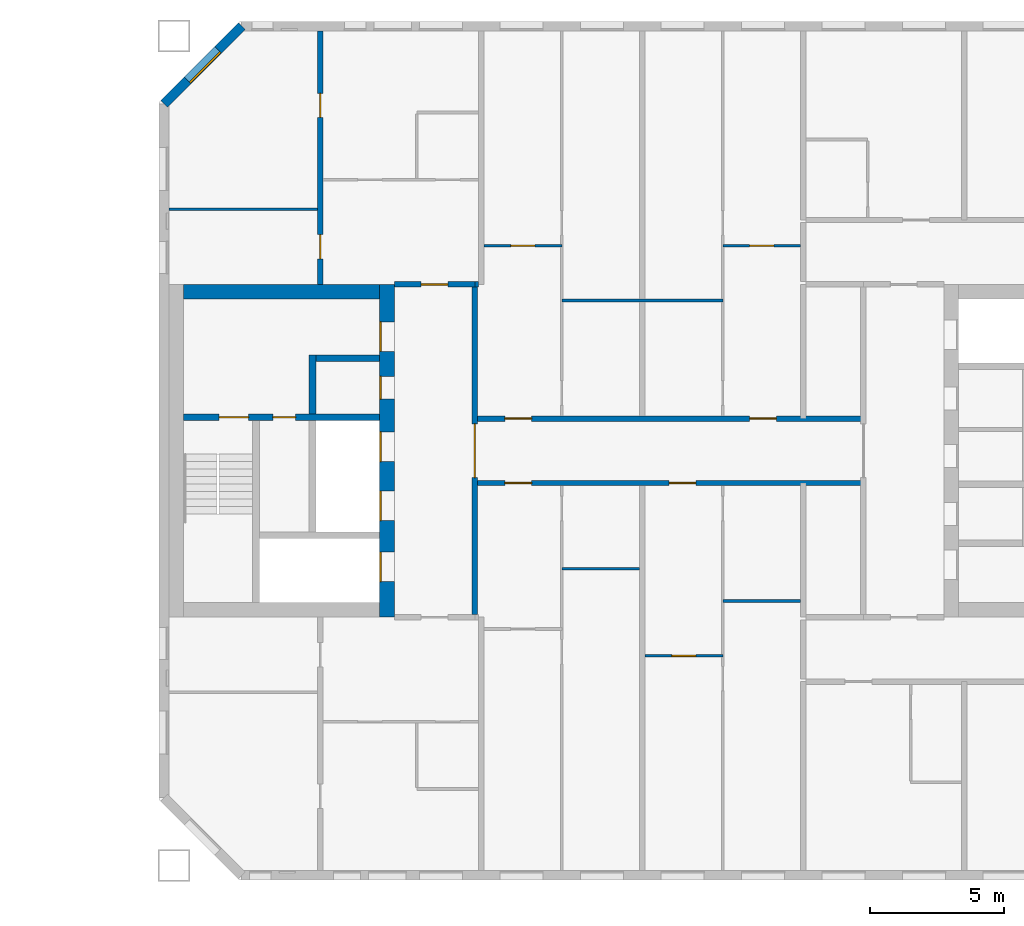
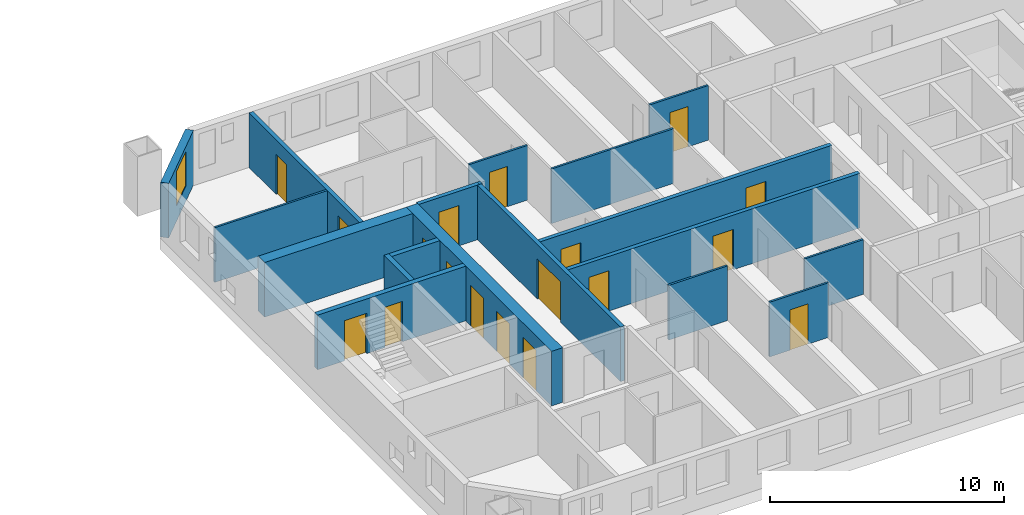
# One storey, part 11 of 17: 19 walls, 18 doors, 1 window, 19 openings.
"""IFC4 building model written with IfcOpenShell, lengths in metres."""

from ifc_helpers import new_model, si_unit, direction, frame, frame_2d, origin, place, context, subcontext, project, spatial, rectangle, extrude, material, layer, layer_set, type_object, element, fill, save


model = new_model("IFC4")

# Units and contexts
model_context = context("Model", 3, precision=1e-05, world=origin(), true_north=direction((0.0, 1.0)))
body_context = subcontext(model_context, "Body", "Model", "MODEL_VIEW")
ifc_project = project(units=[si_unit("LENGTHUNIT", "METRE"), si_unit("AREAUNIT", "SQUARE_METRE"), si_unit("VOLUMEUNIT", "CUBIC_METRE"), si_unit("PLANEANGLEUNIT", "RADIAN"), si_unit("MASSUNIT", "GRAM", prefix="KILO")], contexts=[model_context])

# Site, building, storey
site_placement = place(None, origin())
site = spatial("IfcSite", under=ifc_project, at=site_placement, CompositionType="ELEMENT")
building_placement = place(site_placement, origin())
building = spatial("IfcBuilding", under=site, at=building_placement, Name="Tuart Gate Housing", CompositionType="ELEMENT")
storey_placement = place(building_placement, frame((0.0, 0.0, 123.699951171875)))
storey = spatial("IfcBuildingStorey", under=building, at=storey_placement, Name="L34", CompositionType="ELEMENT", Elevation=123.699951171875)

# Wall, opening, window
ifc_material_1 = material(Name="Brick", Category="masonry")
ifc_layer_1 = layer(ifc_material_1, 0.360107421875)
ifc_layer_set_1 = layer_set([ifc_layer_1], Name="Brick pier and spandrel wall 360")
wall_type_1 = type_object("IfcWallType", Name="Brick pier and spandrel wall 360", PredefinedType="STANDARD", material=ifc_layer_set_1)
wall_1_placement = place(storey_placement, frame((134.07470703125, 85.820068359375, 0.0), z_axis=(0.0, 0.0, 1.0), x_axis=(-0.707106781187, -0.707106781187, 0.0)))
wall_1 = element("IfcWall", 1, at=wall_1_placement, inside=storey, type_object=wall_type_1, Name="External wall B-NW L34", PredefinedType="STANDARD", context=body_context, shape_type="SweptSolid", body=[
    extrude(rectangle(XDim=4.09375, YDim=0.360107421875, at=frame_2d((2.046875, 0.0))), origin(), (0.0, 0.0, 1.0), 2.85009765625),
])
opening_1_placement = place(wall_1_placement, frame((1.2470703125, 0.0, 0.800048828125)))
opening_1 = element("IfcOpeningElement", 2, at=opening_1_placement, cuts=wall_1, Name="Opening W1", PredefinedType="OPENING", context=body_context, shape_type="SweptSolid", body=[
    extrude(rectangle(XDim=1.60009765625, YDim=1.800048828125, at=frame_2d((0.800048828125, 0.89990234375))), frame((0.0, 0.18994140625, 0.0), z_axis=(0.0, -1.0, 0.0), x_axis=(1.0, 0.0, 0.0)), (0.0, 0.0, 1.0), 0.380126953125),
])
ifc_material_2 = material(Name="Aluminium frame with clear glass", Category="aluminium")
window_type = type_object("IfcWindowType", Name="Punched window 1600 x 1800", PartitioningType="SINGLE_PANEL", PredefinedType="WINDOW", material=ifc_material_2)
window_placement = place(opening_1_placement, origin())
window = element("IfcWindow", 3, at=window_placement, inside=storey, type_object=window_type, Name="Window W1", OverallHeight=1.800048828125, OverallWidth=1.60009765625, PartitioningType="SINGLE_PANEL", PredefinedType="WINDOW", context=body_context, shape_type="SweptSolid", body=[
    extrude(rectangle(XDim=1.60009765625, YDim=1.800048828125, at=frame_2d((0.800048828125, 0.89990234375))), frame((0.0, 0.150146484375, 0.0), z_axis=(0.0, -1.0, 0.0), x_axis=(1.0, 0.0, 0.0)), (0.0, 0.0, 1.0), 0.06005859375),
])
fill(opening_1, window)

# Wall, openings, doors
ifc_material_3 = material(Name="Concrete C50", Category="concrete")
ifc_layer_2 = layer(ifc_material_3, 0.25)
ifc_layer_set_2 = layer_set([ifc_layer_2], Name="Core wall 250 C50")
wall_type_2 = type_object("IfcWallType", Name="Core wall 250 C50", PredefinedType="SHEAR", material=ifc_layer_set_2)
wall_2_placement = place(storey_placement, frame((139.2099609375, 71.25, 0.0), z_axis=(0.0, 0.0, 1.0), x_axis=(-1.0, 0.0, 0.0)))
wall_2 = element("IfcWall", 4, at=wall_2_placement, inside=storey, type_object=wall_type_2, Name="Core wall BG.2", PredefinedType="SHEAR", context=body_context, shape_type="SweptSolid", body=[
    extrude(rectangle(XDim=7.300048828125, YDim=0.25, at=frame_2d((3.64990234375, 0.0))), origin(), (0.0, 0.0, 1.0), 2.85009765625),
])
opening_2_placement = place(wall_2_placement, frame((4.875, 0.0, 0.0)))
opening_2 = element("IfcOpeningElement", 5, at=opening_2_placement, cuts=wall_2, Name="Opening D1369", PredefinedType="OPENING", context=body_context, shape_type="SweptSolid", body=[
    extrude(rectangle(XDim=1.10009765625, YDim=2.10009765625, at=frame_2d((0.550048828125, 1.050048828125))), frame((0.0, 0.135009765625, 0.0), z_axis=(0.0, -1.0, 0.0), x_axis=(1.0, 0.0, 0.0)), (0.0, 0.0, 1.0), 0.27001953125),
])
opening_3_placement = place(wall_2_placement, frame((3.125, 0.0, 0.0)))
opening_3 = element("IfcOpeningElement", 6, at=opening_3_placement, cuts=wall_2, Name="Opening D1368", PredefinedType="OPENING", context=body_context, shape_type="SweptSolid", body=[
    extrude(rectangle(XDim=0.85009765625, YDim=2.10009765625, at=frame_2d((0.425048828125, 1.050048828125))), frame((0.0, 0.135009765625, 0.0), z_axis=(0.0, -1.0, 0.0), x_axis=(1.0, 0.0, 0.0)), (0.0, 0.0, 1.0), 0.27001953125),
])
ifc_material_4 = material(Name="Steel fire door", Category="steel")
door_type_1 = type_object("IfcDoorType", Name="Riser door 850 x 2100", OperationType="SINGLE_SWING_LEFT", PredefinedType="DOOR", material=ifc_material_4)
door_1_placement = place(opening_3_placement, origin())
door_1 = element("IfcDoor", 7, at=door_1_placement, inside=storey, type_object=door_type_1, Name="Service room door BG.W1", OperationType="SINGLE_SWING_LEFT", OverallHeight=2.10009765625, OverallWidth=0.85009765625, PredefinedType="DOOR", context=body_context, shape_type="SweptSolid", body=[
    extrude(rectangle(XDim=0.85009765625, YDim=2.10009765625, at=frame_2d((0.425048828125, 1.050048828125))), frame((0.0, 0.02490234375, 0.0), z_axis=(0.0, -1.0, 0.0), x_axis=(1.0, 0.0, 0.0)), (0.0, 0.0, 1.0), 0.050048828125),
])
fill(opening_3, door_1)
ifc_material_5 = material(Name="Steel fire door", Category="steel")
door_type_2 = type_object("IfcDoorType", Name="Stair door 1100 x 2100", OperationType="SINGLE_SWING_LEFT", PredefinedType="DOOR", material=ifc_material_5)
door_2_placement = place(opening_2_placement, origin())
door_2 = element("IfcDoor", 8, at=door_2_placement, inside=storey, type_object=door_type_2, Name="Stair door BG.SD", OperationType="SINGLE_SWING_LEFT", OverallHeight=2.10009765625, OverallWidth=1.10009765625, PredefinedType="DOOR", context=body_context, shape_type="SweptSolid", body=[
    extrude(rectangle(XDim=1.10009765625, YDim=2.10009765625, at=frame_2d((0.550048828125, 1.050048828125))), frame((0.0, 0.02490234375, 0.0), z_axis=(0.0, -1.0, 0.0), x_axis=(1.0, 0.0, 0.0)), (0.0, 0.0, 1.0), 0.050048828125),
])
fill(opening_2, door_2)

# Walls
wall_3_placement = place(storey_placement, frame((139.2099609375, 73.449951171875, 0.0), z_axis=(0.0, 0.0, 1.0), x_axis=(-1.0, 0.0, 0.0)))
element("IfcWall", 9, at=wall_3_placement, inside=storey, type_object=wall_type_2, Name="Core wall BG.3", PredefinedType="SHEAR", context=body_context, shape_type="SweptSolid", body=[
    extrude(rectangle(XDim=2.375, YDim=0.25, at=frame_2d((1.1875, 0.0))), origin(), (0.0, 0.0, 1.0), 2.85009765625),
])
wall_4_placement = place(storey_placement, frame((136.7099609375, 71.375, 0.0), z_axis=(0.0, 0.0, 1.0), x_axis=(0.0, 1.0, 0.0)))
element("IfcWall", 10, at=wall_4_placement, inside=storey, type_object=wall_type_2, Name="Core wall BG.5", PredefinedType="SHEAR", context=body_context, shape_type="SweptSolid", body=[
    extrude(rectangle(XDim=2.199951171875, YDim=0.25, at=frame_2d((1.10009765625, 0.0))), origin(), (0.0, 0.0, 1.0), 2.85009765625),
])

# Wall, openings, doors
ifc_material_6 = material(Name="Concrete C50", Category="concrete")
ifc_layer_3 = layer(ifc_material_6, 0.550048828125)
ifc_layer_set_3 = layer_set([ifc_layer_3], Name="Core wall 550 C50")
wall_type_3 = type_object("IfcWallType", Name="Core wall 550 C50", PredefinedType="SHEAR", material=ifc_layer_set_3)
wall_5_placement = place(storey_placement, frame((139.485107421875, 63.800048828125, 0.0), z_axis=(0.0, 0.0, 1.0), x_axis=(0.0, 1.0, 0.0)))
wall_5 = element("IfcWall", 11, at=wall_5_placement, inside=storey, type_object=wall_type_3, Name="Core wall BG front", PredefinedType="SHEAR", context=body_context, shape_type="SweptSolid", body=[
    extrude(rectangle(XDim=12.39990234375, YDim=0.550048828125, at=frame_2d((6.199951171875, 0.0))), origin(), (0.0, 0.0, 1.0), 2.85009765625),
])
opening_4_placement = place(wall_5_placement, frame((1.324951171875, 0.0, 0.0)))
opening_4 = element("IfcOpeningElement", 12, at=opening_4_placement, cuts=wall_5, Name="Opening LD-FB1", PredefinedType="OPENING", context=body_context, shape_type="SweptSolid", body=[
    extrude(rectangle(XDim=1.10009765625, YDim=2.10009765625, at=frame_2d((0.550048828125, 1.050048828125))), frame((0.0, 0.284912109375, 0.0), z_axis=(0.0, -1.0, 0.0), x_axis=(1.0, 0.0, 0.0)), (0.0, 0.0, 1.0), 0.570068359375),
])
opening_5_placement = place(wall_5_placement, frame((3.60009765625, 0.0, 0.0)))
opening_5 = element("IfcOpeningElement", 13, at=opening_5_placement, cuts=wall_5, Name="Opening LD-LB1", PredefinedType="OPENING", context=body_context, shape_type="SweptSolid", body=[
    extrude(rectangle(XDim=1.10009765625, YDim=2.10009765625, at=frame_2d((0.550048828125, 1.050048828125))), frame((0.0, 0.284912109375, 0.0), z_axis=(0.0, -1.0, 0.0), x_axis=(1.0, 0.0, 0.0)), (0.0, 0.0, 1.0), 0.570068359375),
])
opening_6_placement = place(wall_5_placement, frame((5.800048828125, 0.0, 0.0)))
opening_6 = element("IfcOpeningElement", 14, at=opening_6_placement, cuts=wall_5, Name="Opening LD-LB2", PredefinedType="OPENING", context=body_context, shape_type="SweptSolid", body=[
    extrude(rectangle(XDim=1.10009765625, YDim=2.10009765625, at=frame_2d((0.550048828125, 1.050048828125))), frame((0.0, 0.284912109375, 0.0), z_axis=(0.0, -1.0, 0.0), x_axis=(1.0, 0.0, 0.0)), (0.0, 0.0, 1.0), 0.570068359375),
])
opening_7_placement = place(wall_5_placement, frame((9.89990234375, 0.0, 0.0)))
opening_7 = element("IfcOpeningElement", 15, at=opening_7_placement, cuts=wall_5, Name="Opening D1372", PredefinedType="OPENING", context=body_context, shape_type="SweptSolid", body=[
    extrude(rectangle(XDim=1.10009765625, YDim=2.10009765625, at=frame_2d((0.550048828125, 1.050048828125))), frame((0.0, 0.284912109375, 0.0), z_axis=(0.0, -1.0, 0.0), x_axis=(1.0, 0.0, 0.0)), (0.0, 0.0, 1.0), 0.570068359375),
])
opening_8_placement = place(wall_5_placement, frame((8.125, 0.0, 0.0)))
opening_8 = element("IfcOpeningElement", 16, at=opening_8_placement, cuts=wall_5, Name="Opening D1373", PredefinedType="OPENING", context=body_context, shape_type="SweptSolid", body=[
    extrude(rectangle(XDim=0.85009765625, YDim=2.10009765625, at=frame_2d((0.425048828125, 1.050048828125))), frame((0.0, 0.284912109375, 0.0), z_axis=(0.0, -1.0, 0.0), x_axis=(1.0, 0.0, 0.0)), (0.0, 0.0, 1.0), 0.570068359375),
])
ifc_material_7 = material(Name="Stainless steel", Category="steel")
door_type_3 = type_object("IfcDoorType", Name="Landing door 1100 x 2100", OperationType="DOUBLE_DOOR_SLIDING", PredefinedType="DOOR", material=ifc_material_7)
door_3_placement = place(opening_4_placement, origin())
door_3 = element("IfcDoor", 17, at=door_3_placement, inside=storey, type_object=door_type_3, Name="Lift landing door FB1", OperationType="DOUBLE_DOOR_SLIDING", OverallHeight=2.10009765625, OverallWidth=1.10009765625, PredefinedType="DOOR", context=body_context, shape_type="SweptSolid", body=[
    extrude(rectangle(XDim=1.10009765625, YDim=2.10009765625, at=frame_2d((0.550048828125, 1.050048828125))), frame((0.0, 0.26025390625, 0.0), z_axis=(0.0, -1.0, 0.0), x_axis=(1.0, 0.0, 0.0)), (0.0, 0.0, 1.0), 0.050048828125),
])
fill(opening_4, door_3)
door_4_placement = place(opening_5_placement, origin())
door_4 = element("IfcDoor", 18, at=door_4_placement, inside=storey, type_object=door_type_3, Name="Lift landing door LB1", OperationType="DOUBLE_DOOR_SLIDING", OverallHeight=2.10009765625, OverallWidth=1.10009765625, PredefinedType="DOOR", context=body_context, shape_type="SweptSolid", body=[
    extrude(rectangle(XDim=1.10009765625, YDim=2.10009765625, at=frame_2d((0.550048828125, 1.050048828125))), frame((0.0, 0.26025390625, 0.0), z_axis=(0.0, -1.0, 0.0), x_axis=(1.0, 0.0, 0.0)), (0.0, 0.0, 1.0), 0.050048828125),
])
fill(opening_5, door_4)
door_5_placement = place(opening_6_placement, origin())
door_5 = element("IfcDoor", 19, at=door_5_placement, inside=storey, type_object=door_type_3, Name="Lift landing door LB2", OperationType="DOUBLE_DOOR_SLIDING", OverallHeight=2.10009765625, OverallWidth=1.10009765625, PredefinedType="DOOR", context=body_context, shape_type="SweptSolid", body=[
    extrude(rectangle(XDim=1.10009765625, YDim=2.10009765625, at=frame_2d((0.550048828125, 1.050048828125))), frame((0.0, 0.26025390625, 0.0), z_axis=(0.0, -1.0, 0.0), x_axis=(1.0, 0.0, 0.0)), (0.0, 0.0, 1.0), 0.050048828125),
])
fill(opening_6, door_5)
ifc_material_8 = material(Name="Steel fire door", Category="steel")
door_type_4 = type_object("IfcDoorType", Name="Lobby door 1100 x 2100", OperationType="SINGLE_SWING_LEFT", PredefinedType="DOOR", material=ifc_material_8)
door_6_placement = place(opening_7_placement, origin())
door_6 = element("IfcDoor", 20, at=door_6_placement, inside=storey, type_object=door_type_4, Name="Lobby entry door BG.EN", OperationType="SINGLE_SWING_LEFT", OverallHeight=2.10009765625, OverallWidth=1.10009765625, PredefinedType="DOOR", context=body_context, shape_type="SweptSolid", body=[
    extrude(rectangle(XDim=1.10009765625, YDim=2.10009765625, at=frame_2d((0.550048828125, 1.050048828125))), frame((0.0, 0.26025390625, 0.0), z_axis=(0.0, -1.0, 0.0), x_axis=(1.0, 0.0, 0.0)), (0.0, 0.0, 1.0), 0.050048828125),
])
fill(opening_7, door_6)
ifc_material_9 = material(Name="Steel fire door", Category="steel")
door_type_5 = type_object("IfcDoorType", Name="Service door 850 x 2100", OperationType="SINGLE_SWING_LEFT", PredefinedType="DOOR", material=ifc_material_9)
door_7_placement = place(opening_8_placement, origin())
door_7 = element("IfcDoor", 21, at=door_7_placement, inside=storey, type_object=door_type_5, Name="Service room door BG.T1", OperationType="SINGLE_SWING_LEFT", OverallHeight=2.10009765625, OverallWidth=0.85009765625, PredefinedType="DOOR", context=body_context, shape_type="SweptSolid", body=[
    extrude(rectangle(XDim=0.85009765625, YDim=2.10009765625, at=frame_2d((0.425048828125, 1.050048828125))), frame((0.0, 0.26025390625, 0.0), z_axis=(0.0, -1.0, 0.0), x_axis=(1.0, 0.0, 0.0)), (0.0, 0.0, 1.0), 0.050048828125),
])
fill(opening_8, door_7)

# Wall
wall_6_placement = place(storey_placement, frame((139.2099609375, 75.925048828125, 0.0), z_axis=(0.0, 0.0, 1.0), x_axis=(-1.0, 0.0, 0.0)))
element("IfcWall", 22, at=wall_6_placement, inside=storey, type_object=wall_type_3, Name="Core wall BG north", PredefinedType="SHEAR", context=body_context, shape_type="SweptSolid", body=[
    extrude(rectangle(XDim=7.300048828125, YDim=0.550048828125, at=frame_2d((3.64990234375, 0.0))), origin(), (0.0, 0.0, 1.0), 2.85009765625),
])

# Wall, openings, doors
ifc_material_10 = material(Name="Concrete masonry 15 MPa", Category="masonry")
ifc_layer_4 = layer(ifc_material_10, 0.199951171875)
ifc_layer_set_4 = layer_set([ifc_layer_4], Name="Corridor wall masonry 200")
wall_type_4 = type_object("IfcWallType", Name="Corridor wall masonry 200", PredefinedType="PARTITIONING", material=ifc_layer_set_4)
wall_7_placement = place(storey_placement, frame((142.760009765625, 68.800048828125, 0.0), z_axis=(0.0, 0.0, 1.0), x_axis=(1.0, 0.0, 0.0)))
wall_7 = element("IfcWall", 23, at=wall_7_placement, inside=storey, type_object=wall_type_4, Name="Corridor wall masonry 200", PredefinedType="PARTITIONING", context=body_context, shape_type="SweptSolid", body=[
    extrude(rectangle(XDim=14.47998046875, YDim=0.199951171875, at=frame_2d((7.239990234375, 0.0))), origin(), (0.0, 0.0, 1.0), 2.85009765625),
])
opening_9_placement = place(wall_7_placement, frame((1.1201171875, 0.0, 0.0)))
opening_9 = element("IfcOpeningElement", 24, at=opening_9_placement, cuts=wall_7, Name="Opening D1380", PredefinedType="OPENING", context=body_context, shape_type="SweptSolid", body=[
    extrude(rectangle(XDim=1.0, YDim=2.10009765625, at=frame_2d((0.5, 1.050048828125))), frame((0.0, 0.10986328125, 0.0), z_axis=(0.0, -1.0, 0.0), x_axis=(1.0, 0.0, 0.0)), (0.0, 0.0, 1.0), 0.219970703125),
])
opening_10_placement = place(wall_7_placement, frame((7.239990234375, 0.0, 0.0)))
opening_10 = element("IfcOpeningElement", 25, at=opening_10_placement, cuts=wall_7, Name="Opening D1381", PredefinedType="OPENING", context=body_context, shape_type="SweptSolid", body=[
    extrude(rectangle(XDim=1.0, YDim=2.10009765625, at=frame_2d((0.5, 1.050048828125))), frame((0.0, 0.10986328125, 0.0), z_axis=(0.0, -1.0, 0.0), x_axis=(1.0, 0.0, 0.0)), (0.0, 0.0, 1.0), 0.219970703125),
])
ifc_material_11 = material(Name="Timber door leaf in steel frame", Category="steel")
door_type_6 = type_object("IfcDoorType", Name="Flat entrance door 1000 RH", OperationType="SINGLE_SWING_RIGHT", PredefinedType="DOOR", material=ifc_material_11)
door_8_placement = place(opening_9_placement, frame((1.0, 0.0, 0.0), z_axis=(0.0, 0.0, 1.0), x_axis=(-1.0, 0.0, 0.0)))
door_8 = element("IfcDoor", 26, at=door_8_placement, inside=storey, type_object=door_type_6, Name="Flat entrance door", OperationType="SINGLE_SWING_RIGHT", OverallHeight=2.10009765625, OverallWidth=1.0, PredefinedType="DOOR", context=body_context, shape_type="SweptSolid", body=[
    extrude(rectangle(XDim=1.0, YDim=2.10009765625, at=frame_2d((0.5, 1.050048828125))), frame((0.0, 0.025146484375, 0.0), z_axis=(0.0, -1.0, 0.0), x_axis=(1.0, 0.0, 0.0)), (0.0, 0.0, 1.0), 0.050048828125),
])
fill(opening_9, door_8)
door_9_placement = place(opening_10_placement, frame((1.0, 0.0, 0.0), z_axis=(0.0, 0.0, 1.0), x_axis=(-1.0, 0.0, 0.0)))
door_9 = element("IfcDoor", 27, at=door_9_placement, inside=storey, type_object=door_type_6, Name="Flat entrance door", OperationType="SINGLE_SWING_RIGHT", OverallHeight=2.10009765625, OverallWidth=1.0, PredefinedType="DOOR", context=body_context, shape_type="SweptSolid", body=[
    extrude(rectangle(XDim=1.0, YDim=2.10009765625, at=frame_2d((0.5, 1.050048828125))), frame((0.0, 0.025146484375, 0.0), z_axis=(0.0, -1.0, 0.0), x_axis=(1.0, 0.0, 0.0)), (0.0, 0.0, 1.0), 0.050048828125),
])
fill(opening_10, door_9)

wall_8_placement = place(storey_placement, frame((142.760009765625, 71.199951171875, 0.0), z_axis=(0.0, 0.0, 1.0), x_axis=(1.0, 0.0, 0.0)))
wall_8 = element("IfcWall", 28, at=wall_8_placement, inside=storey, type_object=wall_type_4, Name="Corridor wall masonry 200", PredefinedType="PARTITIONING", context=body_context, shape_type="SweptSolid", body=[
    extrude(rectangle(XDim=14.47998046875, YDim=0.199951171875, at=frame_2d((7.239990234375, 0.0))), origin(), (0.0, 0.0, 1.0), 2.85009765625),
])
opening_11_placement = place(wall_8_placement, frame((1.1201171875, 0.0, 0.0)))
opening_11 = element("IfcOpeningElement", 29, at=opening_11_placement, cuts=wall_8, Name="Opening D1370", PredefinedType="OPENING", context=body_context, shape_type="SweptSolid", body=[
    extrude(rectangle(XDim=1.0, YDim=2.10009765625, at=frame_2d((0.5, 1.050048828125))), frame((0.0, 0.10986328125, 0.0), z_axis=(0.0, -1.0, 0.0), x_axis=(1.0, 0.0, 0.0)), (0.0, 0.0, 1.0), 0.219970703125),
])
opening_12_placement = place(wall_8_placement, frame((10.239990234375, 0.0, 0.0)))
opening_12 = element("IfcOpeningElement", 30, at=opening_12_placement, cuts=wall_8, Name="Opening D1371", PredefinedType="OPENING", context=body_context, shape_type="SweptSolid", body=[
    extrude(rectangle(XDim=1.0, YDim=2.10009765625, at=frame_2d((0.5, 1.050048828125))), frame((0.0, 0.10986328125, 0.0), z_axis=(0.0, -1.0, 0.0), x_axis=(1.0, 0.0, 0.0)), (0.0, 0.0, 1.0), 0.219970703125),
])
ifc_material_12 = material(Name="Timber door leaf in steel frame", Category="steel")
door_type_7 = type_object("IfcDoorType", Name="Flat entrance door 1000", OperationType="SINGLE_SWING_LEFT", PredefinedType="DOOR", material=ifc_material_12)
door_10_placement = place(opening_11_placement, origin())
door_10 = element("IfcDoor", 31, at=door_10_placement, inside=storey, type_object=door_type_7, Name="Flat entrance door", OperationType="SINGLE_SWING_LEFT", OverallHeight=2.10009765625, OverallWidth=1.0, PredefinedType="DOOR", context=body_context, shape_type="SweptSolid", body=[
    extrude(rectangle(XDim=1.0, YDim=2.10009765625, at=frame_2d((0.5, 1.050048828125))), frame((0.0, 0.02490234375, 0.0), z_axis=(0.0, -1.0, 0.0), x_axis=(1.0, 0.0, 0.0)), (0.0, 0.0, 1.0), 0.050048828125),
])
fill(opening_11, door_10)
door_11_placement = place(opening_12_placement, origin())
door_11 = element("IfcDoor", 32, at=door_11_placement, inside=storey, type_object=door_type_7, Name="Flat entrance door", OperationType="SINGLE_SWING_LEFT", OverallHeight=2.10009765625, OverallWidth=1.0, PredefinedType="DOOR", context=body_context, shape_type="SweptSolid", body=[
    extrude(rectangle(XDim=1.0, YDim=2.10009765625, at=frame_2d((0.5, 1.050048828125))), frame((0.0, 0.02490234375, 0.0), z_axis=(0.0, -1.0, 0.0), x_axis=(1.0, 0.0, 0.0)), (0.0, 0.0, 1.0), 0.050048828125),
])
fill(opening_12, door_11)

# Wall, opening, door
ifc_material_13 = material(Name="Concrete masonry 15 MPa", Category="masonry")
ifc_layer_5 = layer(ifc_material_13, 0.199951171875)
ifc_layer_set_5 = layer_set([ifc_layer_5], Name="Enclosure wall masonry 200")
wall_type_5 = type_object("IfcWallType", Name="Enclosure wall masonry 200", PredefinedType="PARTITIONING", material=ifc_layer_set_5)
wall_9_placement = place(storey_placement, frame((139.760009765625, 76.199951171875, 0.0), z_axis=(0.0, 0.0, 1.0), x_axis=(1.0, 0.0, 0.0)))
wall_9 = element("IfcWall", 33, at=wall_9_placement, inside=storey, type_object=wall_type_5, Name="Enclosure wall masonry 200", PredefinedType="PARTITIONING", context=body_context, shape_type="SweptSolid", body=[
    extrude(rectangle(XDim=3.0, YDim=0.199951171875, at=frame_2d((1.5, 0.0))), origin(), (0.0, 0.0, 1.0), 2.85009765625),
])
opening_13_placement = place(wall_9_placement, frame((1.0, 0.0, 0.0)))
opening_13 = element("IfcOpeningElement", 34, at=opening_13_placement, cuts=wall_9, Name="Opening D1366", PredefinedType="OPENING", context=body_context, shape_type="SweptSolid", body=[
    extrude(rectangle(XDim=1.0, YDim=2.10009765625, at=frame_2d((0.5, 1.050048828125))), frame((0.0, 0.10986328125, 0.0), z_axis=(0.0, -1.0, 0.0), x_axis=(1.0, 0.0, 0.0)), (0.0, 0.0, 1.0), 0.219970703125),
])
door_12_placement = place(opening_13_placement, origin())
door_12 = element("IfcDoor", 35, at=door_12_placement, inside=storey, type_object=door_type_6, Name="Flat entrance door", OperationType="SINGLE_SWING_RIGHT", OverallHeight=2.10009765625, OverallWidth=1.0, PredefinedType="DOOR", context=body_context, shape_type="SweptSolid", body=[
    extrude(rectangle(XDim=1.0, YDim=2.10009765625, at=frame_2d((0.5, 1.050048828125))), frame((0.0, 0.02490234375, 0.0), z_axis=(0.0, -1.0, 0.0), x_axis=(1.0, 0.0, 0.0)), (0.0, 0.0, 1.0), 0.050048828125),
])
fill(opening_13, door_12)

ifc_material_14 = material(Name="Plasterboard partition")
ifc_layer_6 = layer(ifc_material_14, 0.199951171875)
ifc_layer_set_6 = layer_set([ifc_layer_6], Name="Lobby wall 200")
wall_type_6 = type_object("IfcWallType", Name="Lobby wall 200", PredefinedType="PARTITIONING", material=ifc_layer_set_6)
wall_10_placement = place(storey_placement, frame((142.760009765625, 63.89990234375, 0.0), z_axis=(0.0, 0.0, 1.0), x_axis=(0.0, 1.0, 0.0)))
wall_10 = element("IfcWall", 36, at=wall_10_placement, inside=storey, type_object=wall_type_6, Name="Lift lobby wall BG", PredefinedType="PARTITIONING", context=body_context, shape_type="SweptSolid", body=[
    extrude(rectangle(XDim=12.2001953125, YDim=0.199951171875, at=frame_2d((6.10009765625, 0.0))), origin(), (0.0, 0.0, 1.0), 2.85009765625),
])
opening_14_placement = place(wall_10_placement, frame((5.10009765625, 0.0, 0.0)))
opening_14 = element("IfcOpeningElement", 37, at=opening_14_placement, cuts=wall_10, Name="Opening D1374", PredefinedType="OPENING", context=body_context, shape_type="SweptSolid", body=[
    extrude(rectangle(XDim=2.0, YDim=2.10009765625, at=frame_2d((1.0, 1.050048828125))), frame((0.0, 0.10986328125, 0.0), z_axis=(0.0, -1.0, 0.0), x_axis=(1.0, 0.0, 0.0)), (0.0, 0.0, 1.0), 0.219970703125),
])
ifc_material_15 = material(Name="Steel fire door", Category="steel")
door_type_8 = type_object("IfcDoorType", Name="Smoke door 2000 x 2100", OperationType="DOUBLE_DOOR_SINGLE_SWING", PredefinedType="DOOR", material=ifc_material_15)
door_13_placement = place(opening_14_placement, origin())
door_13 = element("IfcDoor", 38, at=door_13_placement, inside=storey, type_object=door_type_8, Name="Lift lobby smoke door BG", OperationType="DOUBLE_DOOR_SINGLE_SWING", OverallHeight=2.10009765625, OverallWidth=2.0, PredefinedType="DOOR", context=body_context, shape_type="SweptSolid", body=[
    extrude(rectangle(XDim=2.0, YDim=2.10009765625, at=frame_2d((1.0, 1.050048828125))), frame((0.0, 0.02490234375, 0.0), z_axis=(0.0, -1.0, 0.0), x_axis=(1.0, 0.0, 0.0)), (0.0, 0.0, 1.0), 0.050048828125),
])
fill(opening_14, door_13)

ifc_material_16 = material(Name="Gypsum board on steel studs", Category="steel")
ifc_layer_7 = layer(ifc_material_16, 0.10009765625)
ifc_layer_set_7 = layer_set([ifc_layer_7], Name="Partition 100")
wall_type_7 = type_object("IfcWallType", Name="Partition 100", PredefinedType="PARTITIONING", material=ifc_layer_set_7)
wall_11_placement = place(storey_placement, frame((149.10009765625, 62.360107421875, 0.0), z_axis=(0.0, 0.0, 1.0), x_axis=(1.0, 0.0, 0.0)))
wall_11 = element("IfcWall", 39, at=wall_11_placement, inside=storey, type_object=wall_type_7, Name="Partition 100", PredefinedType="PARTITIONING", context=body_context, shape_type="SweptSolid", body=[
    extrude(rectangle(XDim=2.89990234375, YDim=0.10009765625, at=frame_2d((1.449951171875, 0.0))), origin(), (0.0, 0.0, 1.0), 2.85009765625),
])
opening_15_placement = place(wall_11_placement, frame((1.0, 0.0, 0.0)))
opening_15 = element("IfcOpeningElement", 40, at=opening_15_placement, cuts=wall_11, Name="Opening D1388", PredefinedType="OPENING", context=body_context, shape_type="SweptSolid", body=[
    extrude(rectangle(XDim=0.89990234375, YDim=2.10009765625, at=frame_2d((0.449951171875, 1.050048828125))), frame((0.0, 0.06005859375, 0.0), z_axis=(0.0, -1.0, 0.0), x_axis=(1.0, 0.0, 0.0)), (0.0, 0.0, 1.0), 0.1201171875),
])
ifc_material_17 = material(Name="Timber door leaf in steel frame", Category="steel")
door_type_9 = type_object("IfcDoorType", Name="Internal door 900 RH", OperationType="SINGLE_SWING_RIGHT", PredefinedType="DOOR", material=ifc_material_17)
door_14_placement = place(opening_15_placement, origin())
door_14 = element("IfcDoor", 41, at=door_14_placement, inside=storey, type_object=door_type_9, Name="Internal door", OperationType="SINGLE_SWING_RIGHT", OverallHeight=2.10009765625, OverallWidth=0.89990234375, PredefinedType="DOOR", context=body_context, shape_type="SweptSolid", body=[
    extrude(rectangle(XDim=0.89990234375, YDim=2.10009765625, at=frame_2d((0.449951171875, 1.050048828125))), frame((0.0, 0.02490234375, 0.0), z_axis=(0.0, -1.0, 0.0), x_axis=(1.0, 0.0, 0.0)), (0.0, 0.0, 1.0), 0.050048828125),
])
fill(opening_15, door_14)

# Walls
for number, where, z_axis, x_axis, name in (
    (42, (152.0, 64.39990234375, 0.0), (0.0, 0.0, 1.0), (1.0, 0.0, 0.0), "Partition 100"),
    (43, (146.0, 65.60009765625, 0.0), (0.0, 0.0, 1.0), (1.0, 0.0, 0.0), "Partition 100"),
):
    element("IfcWall", number, at=place(storey_placement, frame(where, z_axis=z_axis, x_axis=x_axis)), inside=storey, type_object=wall_type_7, Name=name, PredefinedType="PARTITIONING", context=body_context, shape_type="SweptSolid", body=[
        extrude(rectangle(XDim=2.89990234375, YDim=0.10009765625, at=frame_2d((1.449951171875, 0.0))), origin(), (0.0, 0.0, 1.0), 2.85009765625),
    ])
wall_12_placement = place(storey_placement, frame((146.0, 75.60009765625, 0.0), z_axis=(0.0, 0.0, 1.0), x_axis=(1.0, 0.0, 0.0)))
element("IfcWall", 44, at=wall_12_placement, inside=storey, type_object=wall_type_7, Name="Partition 100", PredefinedType="PARTITIONING", context=body_context, shape_type="SweptSolid", body=[
    extrude(rectangle(XDim=6.0, YDim=0.10009765625, at=frame_2d((3.0, 0.0))), origin(), (0.0, 0.0, 1.0), 2.85009765625),
])

# Wall, opening, door
wall_13_placement = place(storey_placement, frame((143.10009765625, 77.639892578125, 0.0), z_axis=(0.0, 0.0, 1.0), x_axis=(1.0, 0.0, 0.0)))
wall_13 = element("IfcWall", 45, at=wall_13_placement, inside=storey, type_object=wall_type_7, Name="Partition 100", PredefinedType="PARTITIONING", context=body_context, shape_type="SweptSolid", body=[
    extrude(rectangle(XDim=2.89990234375, YDim=0.10009765625, at=frame_2d((1.449951171875, 0.0))), origin(), (0.0, 0.0, 1.0), 2.85009765625),
])
opening_16_placement = place(wall_13_placement, frame((1.0, 0.0, 0.0)))
opening_16 = element("IfcOpeningElement", 46, at=opening_16_placement, cuts=wall_13, Name="Opening D1364", PredefinedType="OPENING", context=body_context, shape_type="SweptSolid", body=[
    extrude(rectangle(XDim=0.89990234375, YDim=2.10009765625, at=frame_2d((0.449951171875, 1.050048828125))), frame((0.0, 0.06005859375, 0.0), z_axis=(0.0, -1.0, 0.0), x_axis=(1.0, 0.0, 0.0)), (0.0, 0.0, 1.0), 0.1201171875),
])
ifc_material_18 = material(Name="Timber door leaf in steel frame", Category="steel")
door_type_10 = type_object("IfcDoorType", Name="Internal door 900", OperationType="SINGLE_SWING_LEFT", PredefinedType="DOOR", material=ifc_material_18)
door_15_placement = place(opening_16_placement, frame((0.89990234375, 0.0, 0.0), z_axis=(0.0, 0.0, 1.0), x_axis=(-1.0, 0.0, 0.0)))
door_15 = element("IfcDoor", 47, at=door_15_placement, inside=storey, type_object=door_type_10, Name="Internal door", OperationType="SINGLE_SWING_LEFT", OverallHeight=2.10009765625, OverallWidth=0.89990234375, PredefinedType="DOOR", context=body_context, shape_type="SweptSolid", body=[
    extrude(rectangle(XDim=0.89990234375, YDim=2.10009765625, at=frame_2d((0.449951171875, 1.050048828125))), frame((0.0, 0.025146484375, 0.0), z_axis=(0.0, -1.0, 0.0), x_axis=(1.0, 0.0, 0.0)), (0.0, 0.0, 1.0), 0.050048828125),
])
fill(opening_16, door_15)

wall_14_placement = place(storey_placement, frame((152.0, 77.639892578125, 0.0), z_axis=(0.0, 0.0, 1.0), x_axis=(1.0, 0.0, 0.0)))
wall_14 = element("IfcWall", 48, at=wall_14_placement, inside=storey, type_object=wall_type_7, Name="Partition 100", PredefinedType="PARTITIONING", context=body_context, shape_type="SweptSolid", body=[
    extrude(rectangle(XDim=2.89990234375, YDim=0.10009765625, at=frame_2d((1.449951171875, 0.0))), origin(), (0.0, 0.0, 1.0), 2.85009765625),
])
opening_17_placement = place(wall_14_placement, frame((1.0, 0.0, 0.0)))
opening_17 = element("IfcOpeningElement", 49, at=opening_17_placement, cuts=wall_14, Name="Opening D1365", PredefinedType="OPENING", context=body_context, shape_type="SweptSolid", body=[
    extrude(rectangle(XDim=0.89990234375, YDim=2.10009765625, at=frame_2d((0.449951171875, 1.050048828125))), frame((0.0, 0.06005859375, 0.0), z_axis=(0.0, -1.0, 0.0), x_axis=(1.0, 0.0, 0.0)), (0.0, 0.0, 1.0), 0.1201171875),
])
door_16_placement = place(opening_17_placement, frame((0.89990234375, 0.0, 0.0), z_axis=(0.0, 0.0, 1.0), x_axis=(-1.0, 0.0, 0.0)))
door_16 = element("IfcDoor", 50, at=door_16_placement, inside=storey, type_object=door_type_9, Name="Internal door", OperationType="SINGLE_SWING_RIGHT", OverallHeight=2.10009765625, OverallWidth=0.89990234375, PredefinedType="DOOR", context=body_context, shape_type="SweptSolid", body=[
    extrude(rectangle(XDim=0.89990234375, YDim=2.10009765625, at=frame_2d((0.449951171875, 1.050048828125))), frame((0.0, 0.025146484375, 0.0), z_axis=(0.0, -1.0, 0.0), x_axis=(1.0, 0.0, 0.0)), (0.0, 0.0, 1.0), 0.050048828125),
])
fill(opening_17, door_16)

# Wall
wall_15_placement = place(storey_placement, frame((131.360107421875, 79.0, 0.0), z_axis=(0.0, 0.0, 1.0), x_axis=(1.0, 0.0, 0.0)))
element("IfcWall", 51, at=wall_15_placement, inside=storey, type_object=wall_type_7, Name="Partition 100", PredefinedType="PARTITIONING", context=body_context, shape_type="SweptSolid", body=[
    extrude(rectangle(XDim=5.539794921875, YDim=0.10009765625, at=frame_2d((2.77001953125, 0.0))), origin(), (0.0, 0.0, 1.0), 2.85009765625),
])

# Wall, openings, doors
ifc_material_19 = material(Name="Concrete C40", Category="concrete")
ifc_layer_8 = layer(ifc_material_19, 0.199951171875)
ifc_layer_set_8 = layer_set([ifc_layer_8], Name="Party wall concrete C40 200")
wall_type_8 = type_object("IfcWallType", Name="Party wall concrete C40 200", PredefinedType="SOLIDWALL", material=ifc_layer_set_8)
wall_16_placement = place(storey_placement, frame((137.0, 76.199951171875, 0.0), z_axis=(0.0, 0.0, 1.0), x_axis=(0.0, 1.0, 0.0)))
wall_16 = element("IfcWall", 52, at=wall_16_placement, inside=storey, type_object=wall_type_8, Name="Party wall concrete C40 200", PredefinedType="SOLIDWALL", context=body_context, shape_type="SweptSolid", body=[
    extrude(rectangle(XDim=9.43994140625, YDim=0.199951171875, at=frame_2d((4.719970703125, 0.0))), origin(), (0.0, 0.0, 1.0), 2.85009765625),
])
opening_18_placement = place(wall_16_placement, frame((6.219970703125, 0.0, 0.0)))
opening_18 = element("IfcOpeningElement", 53, at=opening_18_placement, cuts=wall_16, Name="Opening D1353", PredefinedType="OPENING", context=body_context, shape_type="SweptSolid", body=[
    extrude(rectangle(XDim=0.89990234375, YDim=2.10009765625, at=frame_2d((0.449951171875, 1.050048828125))), frame((0.0, 0.10986328125, 0.0), z_axis=(0.0, -1.0, 0.0), x_axis=(1.0, 0.0, 0.0)), (0.0, 0.0, 1.0), 0.219970703125),
])
opening_19_placement = place(wall_16_placement, frame((0.949951171875, 0.0, 0.0)))
opening_19 = element("IfcOpeningElement", 54, at=opening_19_placement, cuts=wall_16, Name="Opening D1354", PredefinedType="OPENING", context=body_context, shape_type="SweptSolid", body=[
    extrude(rectangle(XDim=0.89990234375, YDim=2.10009765625, at=frame_2d((0.449951171875, 1.050048828125))), frame((0.0, 0.10986328125, 0.0), z_axis=(0.0, -1.0, 0.0), x_axis=(1.0, 0.0, 0.0)), (0.0, 0.0, 1.0), 0.219970703125),
])
door_17_placement = place(opening_19_placement, origin())
door_17 = element("IfcDoor", 55, at=door_17_placement, inside=storey, type_object=door_type_10, Name="Internal door", OperationType="SINGLE_SWING_LEFT", OverallHeight=2.10009765625, OverallWidth=0.89990234375, PredefinedType="DOOR", context=body_context, shape_type="SweptSolid", body=[
    extrude(rectangle(XDim=0.89990234375, YDim=2.10009765625, at=frame_2d((0.449951171875, 1.050048828125))), frame((0.0, 0.02490234375, 0.0), z_axis=(0.0, -1.0, 0.0), x_axis=(1.0, 0.0, 0.0)), (0.0, 0.0, 1.0), 0.050048828125),
])
fill(opening_19, door_17)
door_18_placement = place(opening_18_placement, origin())
door_18 = element("IfcDoor", 56, at=door_18_placement, inside=storey, type_object=door_type_9, Name="Internal door", OperationType="SINGLE_SWING_RIGHT", OverallHeight=2.10009765625, OverallWidth=0.89990234375, PredefinedType="DOOR", context=body_context, shape_type="SweptSolid", body=[
    extrude(rectangle(XDim=0.89990234375, YDim=2.10009765625, at=frame_2d((0.449951171875, 1.050048828125))), frame((0.0, 0.02490234375, 0.0), z_axis=(0.0, -1.0, 0.0), x_axis=(1.0, 0.0, 0.0)), (0.0, 0.0, 1.0), 0.050048828125),
])
fill(opening_18, door_18)

# Wall
ifc_material_20 = material(Name="Concrete masonry 15 MPa", Category="masonry")
ifc_layer_9 = layer(ifc_material_20, 0.199951171875)
ifc_layer_set_9 = layer_set([ifc_layer_9], Name="Party wall masonry 200")
wall_type_9 = type_object("IfcWallType", Name="Party wall masonry 200", PredefinedType="PARTITIONING", material=ifc_layer_set_9)
wall_17_placement = place(storey_placement, frame((142.760009765625, 76.199951171875, 0.0), z_axis=(0.0, 0.0, 1.0), x_axis=(1.0, 0.0, 0.0)))
element("IfcWall", 57, at=wall_17_placement, inside=storey, type_object=wall_type_9, Name="Party wall masonry 200", PredefinedType="PARTITIONING", context=body_context, shape_type="SweptSolid", body=[
    extrude(rectangle(XDim=0.139892578125, YDim=0.199951171875, at=frame_2d((0.06982421875, 0.0))), origin(), (0.0, 0.0, 1.0), 2.85009765625),
])

save(model, "model.ifc")
